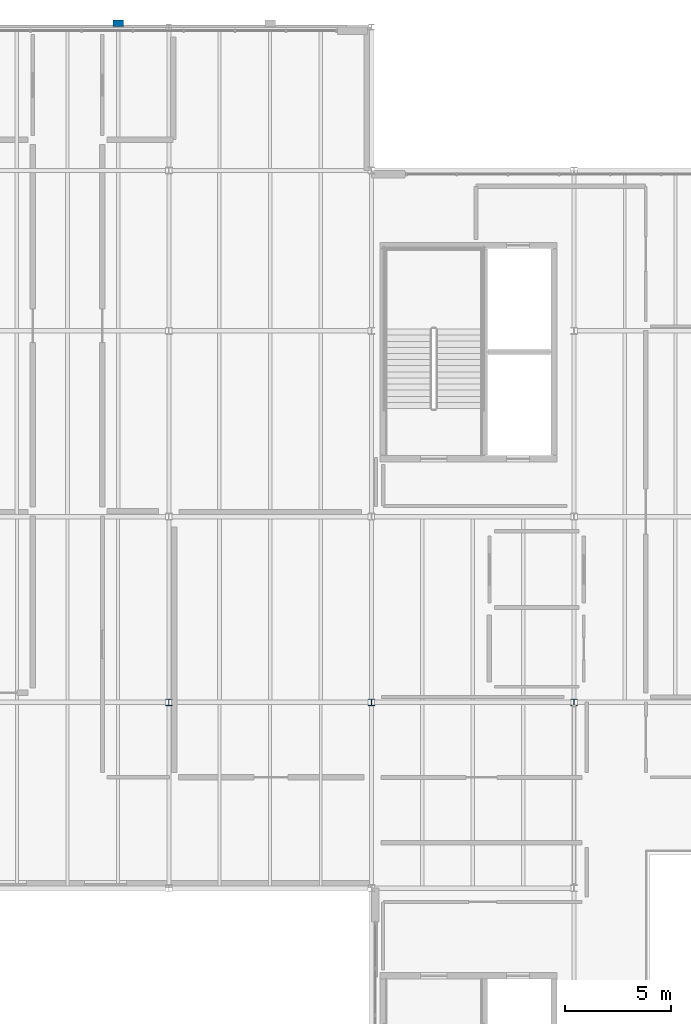
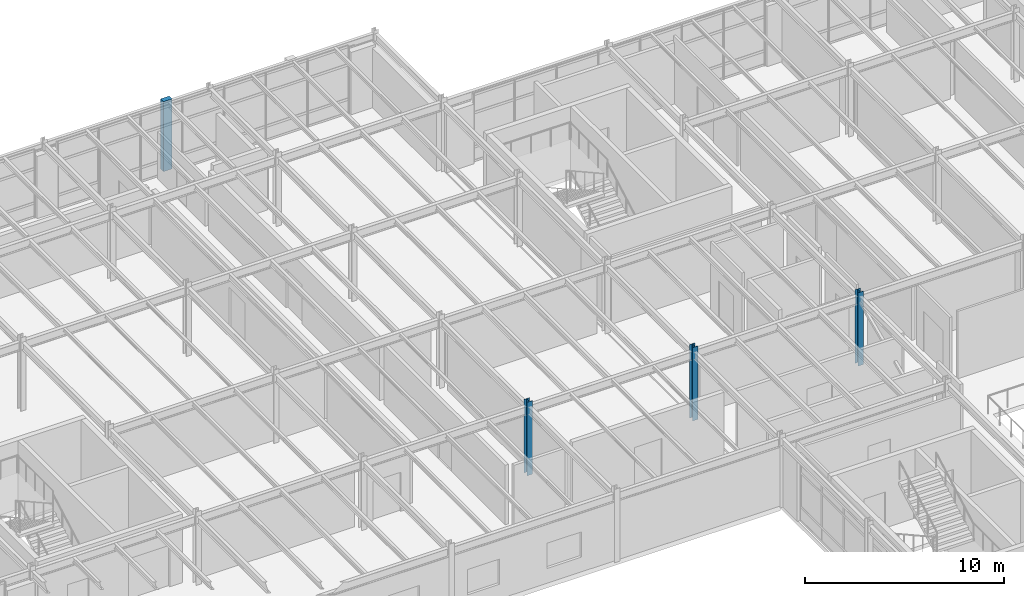
# One storey, part 10 of 69: 4 columns.
"""IFC4 building model written with IfcOpenShell, lengths in metres."""

from ifc_helpers import new_model, si_unit, direction, frame, origin, origin_2d, place, context, subcontext, project, spatial, rectangle, i_section, extrude, material, material_profile, profile_set, type_object, element, save


model = new_model("IFC4")

# Units and contexts
model_context = context("Model", 3, precision=1e-05, world=origin(), true_north=direction((0.0, 1.0)))
body_context = subcontext(model_context, "Body", "Model", "MODEL_VIEW")
ifc_project = project(units=[si_unit("LENGTHUNIT", "METRE"), si_unit("AREAUNIT", "SQUARE_METRE"), si_unit("VOLUMEUNIT", "CUBIC_METRE"), si_unit("PLANEANGLEUNIT", "RADIAN"), si_unit("MASSUNIT", "GRAM", prefix="KILO")], contexts=[model_context])

# Site, building, storey
site_placement = place(None, origin())
site = spatial("IfcSite", under=ifc_project, at=site_placement, CompositionType="ELEMENT")
building_placement = place(site_placement, origin())
building = spatial("IfcBuilding", under=site, at=building_placement, Name="Sarnbrook Museum", CompositionType="ELEMENT")
storey_placement = place(building_placement, frame((0.0, 0.0, 14.60009765625)))
storey = spatial("IfcBuildingStorey", under=building, at=storey_placement, Name="L03", CompositionType="ELEMENT", Elevation=14.60009765625)

# Columns
ifc_material_1 = material(Name="Structural Steel Grade 300PLUS (AS/NZS 3679.1, fy = 280 MPa for 17 < t <= 40 mm, 300 MPa for t <= 17 mm)", Category="steel")
ifc_material_profile_1 = material_profile(ifc_material_1, i_section(OverallWidth=0.306884765625, OverallDepth=0.31494140625, WebThickness=0.011962890625, FlangeThickness=0.018798828125, FilletRadius=0.0166015625, at=origin_2d()), Name="310UC118")
ifc_profile_set_1 = profile_set([ifc_material_profile_1], Name="Structural Steel Grade 300PLUS (AS/NZS 3679.1, fy = 280 MPa for 17 < t <= 40 mm, 300 MPa for t <= 17 mm)")
column_type_1 = type_object("IfcColumnType", Name="COL-UC310", PredefinedType="COLUMN", material=ifc_profile_set_1)
for number, where, z_axis, x_axis, name in (
    (1, (90.39990234375, 83.199951171875, 0.0), (0.0, 0.0, 1.0), (1.0, 0.0, 0.0), "Column 10-K L03"),
    (2, (71.199951171875, 83.199951171875, 0.0), (0.0, 0.0, 1.0), (1.0, 0.0, 0.0), "Column 8-K L03"),
    (3, (80.800048828125, 83.199951171875, 0.0), (0.0, 0.0, 1.0), (1.0, 0.0, 0.0), "Column 9-K L03"),
):
    element("IfcColumn", number, at=place(storey_placement, frame(where, z_axis=z_axis, x_axis=x_axis)), inside=storey, type_object=column_type_1, Name=name, PredefinedType="COLUMN", context=body_context, shape_type="SweptSolid", body=[
        extrude(i_section(OverallWidth=0.306884765625, OverallDepth=0.31494140625, WebThickness=0.011962890625, FlangeThickness=0.018798828125, FilletRadius=0.0166015625, at=origin_2d()), origin(), (0.0, 0.0, 1.0), 4.5),
    ])
ifc_material_2 = material(Name="Concrete N40 (AS 3600, f'c = 40 MPa)", Category="concrete")
ifc_material_profile_2 = material_profile(ifc_material_2, rectangle(XDim=0.5, YDim=0.300048828125, at=origin_2d()), Name="PILASTER 500x300")
ifc_profile_set_2 = profile_set([ifc_material_profile_2], Name="Concrete N40 (AS 3600, f'c = 40 MPa)")
column_type_2 = type_object("IfcColumnType", Name="PIL-500x300", PredefinedType="PILASTER", material=ifc_profile_set_2)
column_placement = place(storey_placement, frame((68.800048828125, 115.3798828125, 0.0), z_axis=(0.0, 0.0, 1.0), x_axis=(1.0, 0.0, 0.0)))
element("IfcColumn", 4, at=column_placement, inside=storey, type_object=column_type_2, Name="Sandstone Classical Pilaster P-N2 L03", PredefinedType="PILASTER", context=body_context, shape_type="SweptSolid", body=[
    extrude(rectangle(XDim=0.5, YDim=0.300048828125, at=origin_2d()), origin(), (0.0, 0.0, 1.0), 4.289794921875),
])

save(model, "model.ifc")
